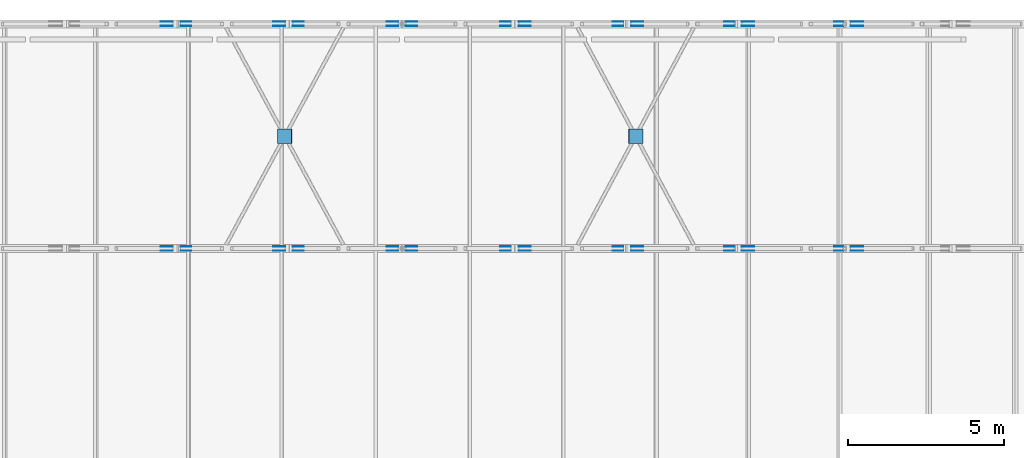
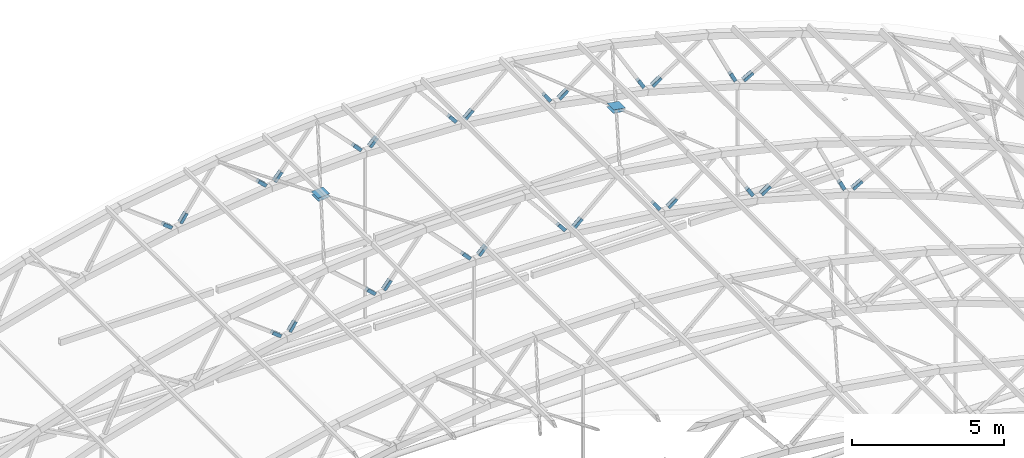
# One storey, part 116 of 127: 60 discrete accessories.
"""IFC4 building model written with IfcOpenShell, lengths in metres."""

from ifc_helpers import new_model, si_unit, direction, frame, origin, origin_2d, place, context, subcontext, project, spatial, rectangle, extrude, material, material_profile, profile_set, type_object, element, save


model = new_model("IFC4")

# Units and contexts
model_context = context("Model", 3, precision=1e-05, world=origin(), true_north=direction((0.0, 1.0)))
body_context = subcontext(model_context, "Body", "Model", "MODEL_VIEW")
ifc_project = project(units=[si_unit("LENGTHUNIT", "METRE"), si_unit("AREAUNIT", "SQUARE_METRE"), si_unit("VOLUMEUNIT", "CUBIC_METRE"), si_unit("PLANEANGLEUNIT", "RADIAN"), si_unit("MASSUNIT", "GRAM", prefix="KILO")], contexts=[model_context])

# Site, building, storey
site_placement = place(None, origin())
site = spatial("IfcSite", under=ifc_project, at=site_placement, CompositionType="ELEMENT")
building_placement = place(site_placement, origin())
building = spatial("IfcBuilding", under=site, at=building_placement, Name="Verrick Yard Athletic Hall", CompositionType="ELEMENT")
storey_placement = place(building_placement, frame((0.0, 0.0, 14.0)))
storey = spatial("IfcBuildingStorey", under=building, at=storey_placement, Name="L03", CompositionType="ELEMENT", Elevation=14.0)

# Discrete accessories
ifc_material = material(Name="Structural steel 350W (CSA G40.21)", Category="steel")
ifc_material_profile_1 = material_profile(ifc_material, rectangle(XDim=0.39990234375, YDim=0.126953125, at=origin_2d()), Name="Brace end cheek plate")
ifc_profile_set_1 = profile_set([ifc_material_profile_1], Name="Structural steel 350W (CSA G40.21)")
discrete_accessory_type_1 = type_object("IfcDiscreteAccessoryType", Name="Brace end cheek plate 400x127x12", PredefinedType="BRACKET", material=ifc_profile_set_1)
for number, where, z_axis, x_axis, name in (
    (1, (138.058349609375, 100.736572265625, 6.464111328125), (0.0, -1.0, 0.0), (-0.796193473644, 0.0, 0.605042108061), "Truss web end plate TA5-10 1"),
    (2, (138.058349609375, 100.863525390625, 6.464111328125), (0.0, 1.0, 0.0), (-0.796193473644, 0.0, 0.605042108061), "Truss web end plate TA5-10 2"),
    (3, (138.671630859375, 100.863525390625, 6.56103515625), (0.0, 1.0, 0.0), (0.570674326681, 0.0, 0.821176480951), "Truss web end plate TA5-11 1"),
    (4, (138.671630859375, 100.736572265625, 6.56103515625), (0.0, -1.0, 0.0), (0.570674326681, 0.0, 0.821176480951), "Truss web end plate TA5-11 2"),
    (5, (141.661865234375, 100.736572265625, 6.91455078125), (0.0, -1.0, 0.0), (-0.746352356768, 0.0, 0.665551019492), "Truss web end plate TA5-12 1"),
    (6, (141.661865234375, 100.863525390625, 6.91455078125), (0.0, 1.0, 0.0), (-0.746352356768, 0.0, 0.665551019492), "Truss web end plate TA5-12 2"),
    (7, (142.28076171875, 100.863525390625, 6.963134765625), (0.0, 1.0, 0.0), (0.633245761862, 0.0, 0.773950776913), "Truss web end plate TA5-13 1"),
    (8, (142.28076171875, 100.736572265625, 6.963134765625), (0.0, -1.0, 0.0), (0.633245761862, 0.0, 0.773950776913), "Truss web end plate TA5-13 2"),
    (9, (145.28955078125, 100.736572265625, 7.0810546875), (0.0, -1.0, 0.0), (-0.691925275628, 0.0, 0.721969121879), "Truss web end plate TA5-14 1"),
    (10, (145.28955078125, 100.863525390625, 7.0810546875), (0.0, 1.0, 0.0), (-0.691925275628, 0.0, 0.721969121879), "Truss web end plate TA5-14 2"),
    (11, (145.910400390625, 100.863525390625, 7.0810546875), (0.0, 1.0, 0.0), (0.691925275628, 0.0, 0.721969121879), "Truss web end plate TA5-15 1"),
    (12, (145.910400390625, 100.736572265625, 7.0810546875), (0.0, -1.0, 0.0), (0.691925275628, 0.0, 0.721969121879), "Truss web end plate TA5-15 2"),
    (13, (148.919189453125, 100.736572265625, 6.963134765625), (0.0, -1.0, 0.0), (-0.633245761862, 0.0, 0.773950776913), "Truss web end plate TA5-16 1"),
    (14, (148.919189453125, 100.863525390625, 6.963134765625), (0.0, 1.0, 0.0), (-0.633245761862, 0.0, 0.773950776913), "Truss web end plate TA5-16 2"),
    (15, (149.5380859375, 100.863525390625, 6.91455078125), (0.0, 1.0, 0.0), (0.746352356768, 0.0, 0.665551019492), "Truss web end plate TA5-17 1"),
    (16, (149.5380859375, 100.736572265625, 6.91455078125), (0.0, -1.0, 0.0), (0.746352356768, 0.0, 0.665551019492), "Truss web end plate TA5-17 2"),
    (17, (152.5283203125, 100.736572265625, 6.56103515625), (0.0, -1.0, 0.0), (-0.570674326681, 0.0, 0.821176480951), "Truss web end plate TA5-18 1"),
    (18, (152.5283203125, 100.863525390625, 6.56103515625), (0.0, 1.0, 0.0), (-0.570674326681, 0.0, 0.821176480951), "Truss web end plate TA5-18 2"),
    (19, (153.1416015625, 100.863525390625, 6.464111328125), (0.0, 1.0, 0.0), (0.796193473644, 0.0, 0.605042108061), "Truss web end plate TA5-19 1"),
    (20, (153.1416015625, 100.736572265625, 6.464111328125), (0.0, -1.0, 0.0), (0.796193473644, 0.0, 0.605042108061), "Truss web end plate TA5-19 2"),
    (21, (156.094970703125, 100.736572265625, 5.877685546875), (0.0, -1.0, 0.0), (-0.504596608522, 0.0, 0.863355235502), "Truss web end plate TA5-20 1"),
    (22, (156.094970703125, 100.863525390625, 5.877685546875), (0.0, 1.0, 0.0), (-0.504596608522, 0.0, 0.863355235502), "Truss web end plate TA5-20 2"),
    (23, (156.698974609375, 100.863525390625, 5.73291015625), (0.0, 1.0, 0.0), (0.841141186405, 0.0, 0.540815591984), "Truss web end plate TA5-21 1"),
    (24, (156.698974609375, 100.736572265625, 5.73291015625), (0.0, -1.0, 0.0), (0.841141186405, 0.0, 0.540815591984), "Truss web end plate TA5-21 2"),
    (25, (159.59716796875, 100.736572265625, 4.9169921875), (0.0, -1.0, 0.0), (-0.435417263932, 0.0, 0.90022875219), "Truss web end plate TA5-22 1"),
    (26, (159.59716796875, 100.863525390625, 4.9169921875), (0.0, 1.0, 0.0), (-0.435417263932, 0.0, 0.90022875219), "Truss web end plate TA5-22 2"),
    (27, (160.187744140625, 100.863525390625, 4.725341796875), (0.0, 1.0, 0.0), (0.880919955637, 0.0, 0.473265286876), "Truss web end plate TA5-23 1"),
    (28, (160.187744140625, 100.736572265625, 4.725341796875), (0.0, -1.0, 0.0), (0.880919955637, 0.0, 0.473265286876), "Truss web end plate TA5-23 2"),
    (29, (138.058349609375, 107.9365234375, 6.464111328125), (0.0, -1.0, 0.0), (-0.796193473644, 0.0, 0.605042108061), "Truss web end plate TA6-10 1"),
    (30, (138.058349609375, 108.0634765625, 6.464111328125), (0.0, 1.0, 0.0), (-0.796193473644, 0.0, 0.605042108061), "Truss web end plate TA6-10 2"),
    (31, (138.671630859375, 108.0634765625, 6.56103515625), (0.0, 1.0, 0.0), (0.570674326681, 0.0, 0.821176480951), "Truss web end plate TA6-11 1"),
    (32, (138.671630859375, 107.9365234375, 6.56103515625), (0.0, -1.0, 0.0), (0.570674326681, 0.0, 0.821176480951), "Truss web end plate TA6-11 2"),
    (33, (141.661865234375, 107.9365234375, 6.91455078125), (0.0, -1.0, 0.0), (-0.746352356768, 0.0, 0.665551019492), "Truss web end plate TA6-12 1"),
    (34, (141.661865234375, 108.0634765625, 6.91455078125), (0.0, 1.0, 0.0), (-0.746352356768, 0.0, 0.665551019492), "Truss web end plate TA6-12 2"),
    (35, (142.28076171875, 108.0634765625, 6.963134765625), (0.0, 1.0, 0.0), (0.633245761862, 0.0, 0.773950776913), "Truss web end plate TA6-13 1"),
    (36, (142.28076171875, 107.9365234375, 6.963134765625), (0.0, -1.0, 0.0), (0.633245761862, 0.0, 0.773950776913), "Truss web end plate TA6-13 2"),
    (37, (145.28955078125, 107.9365234375, 7.0810546875), (0.0, -1.0, 0.0), (-0.691925275628, 0.0, 0.721969121879), "Truss web end plate TA6-14 1"),
    (38, (145.28955078125, 108.0634765625, 7.0810546875), (0.0, 1.0, 0.0), (-0.691925275628, 0.0, 0.721969121879), "Truss web end plate TA6-14 2"),
    (39, (145.910400390625, 108.0634765625, 7.0810546875), (0.0, 1.0, 0.0), (0.691925275628, 0.0, 0.721969121879), "Truss web end plate TA6-15 1"),
    (40, (145.910400390625, 107.9365234375, 7.0810546875), (0.0, -1.0, 0.0), (0.691925275628, 0.0, 0.721969121879), "Truss web end plate TA6-15 2"),
    (41, (148.919189453125, 107.9365234375, 6.963134765625), (0.0, -1.0, 0.0), (-0.633245761862, 0.0, 0.773950776913), "Truss web end plate TA6-16 1"),
    (42, (148.919189453125, 108.0634765625, 6.963134765625), (0.0, 1.0, 0.0), (-0.633245761862, 0.0, 0.773950776913), "Truss web end plate TA6-16 2"),
    (43, (149.5380859375, 108.0634765625, 6.91455078125), (0.0, 1.0, 0.0), (0.746352356768, 0.0, 0.665551019492), "Truss web end plate TA6-17 1"),
    (44, (149.5380859375, 107.9365234375, 6.91455078125), (0.0, -1.0, 0.0), (0.746352356768, 0.0, 0.665551019492), "Truss web end plate TA6-17 2"),
    (45, (152.5283203125, 107.9365234375, 6.56103515625), (0.0, -1.0, 0.0), (-0.570674326681, 0.0, 0.821176480951), "Truss web end plate TA6-18 1"),
    (46, (152.5283203125, 108.0634765625, 6.56103515625), (0.0, 1.0, 0.0), (-0.570674326681, 0.0, 0.821176480951), "Truss web end plate TA6-18 2"),
    (47, (153.1416015625, 108.0634765625, 6.464111328125), (0.0, 1.0, 0.0), (0.796193473644, 0.0, 0.605042108061), "Truss web end plate TA6-19 1"),
    (48, (153.1416015625, 107.9365234375, 6.464111328125), (0.0, -1.0, 0.0), (0.796193473644, 0.0, 0.605042108061), "Truss web end plate TA6-19 2"),
    (49, (156.094970703125, 107.9365234375, 5.877685546875), (0.0, -1.0, 0.0), (-0.504596608522, 0.0, 0.863355235502), "Truss web end plate TA6-20 1"),
    (50, (156.094970703125, 108.0634765625, 5.877685546875), (0.0, 1.0, 0.0), (-0.504596608522, 0.0, 0.863355235502), "Truss web end plate TA6-20 2"),
    (51, (156.698974609375, 108.0634765625, 5.73291015625), (0.0, 1.0, 0.0), (0.841141186405, 0.0, 0.540815591984), "Truss web end plate TA6-21 1"),
    (52, (156.698974609375, 107.9365234375, 5.73291015625), (0.0, -1.0, 0.0), (0.841141186405, 0.0, 0.540815591984), "Truss web end plate TA6-21 2"),
    (53, (159.59716796875, 107.9365234375, 4.9169921875), (0.0, -1.0, 0.0), (-0.435417263932, 0.0, 0.90022875219), "Truss web end plate TA6-22 1"),
    (54, (159.59716796875, 108.0634765625, 4.9169921875), (0.0, 1.0, 0.0), (-0.435417263932, 0.0, 0.90022875219), "Truss web end plate TA6-22 2"),
    (55, (160.187744140625, 108.0634765625, 4.725341796875), (0.0, 1.0, 0.0), (0.880919955637, 0.0, 0.473265286876), "Truss web end plate TA6-23 1"),
    (56, (160.187744140625, 107.9365234375, 4.725341796875), (0.0, -1.0, 0.0), (0.880919955637, 0.0, 0.473265286876), "Truss web end plate TA6-23 2"),
):
    element("IfcDiscreteAccessory", number, at=place(storey_placement, frame(where, z_axis=z_axis, x_axis=x_axis)), inside=storey, type_object=discrete_accessory_type_1, Name=name, PredefinedType="BRACKET", context=body_context, shape_type="SweptSolid", body=[
        extrude(rectangle(XDim=0.39990234375, YDim=0.126953125, at=origin_2d()), origin(), (0.0, 0.0, 1.0), 0.011962890625),
    ])
ifc_material_profile_2 = material_profile(ifc_material, rectangle(XDim=0.449951171875, YDim=0.449951171875, at=origin_2d()), Name="Brace node plate")
ifc_profile_set_2 = profile_set([ifc_material_profile_2], Name="Structural steel 350W (CSA G40.21)")
discrete_accessory_type_2 = type_object("IfcDiscreteAccessoryType", Name="Brace node plate 450x450x12", PredefinedType="BRACKET", material=ifc_profile_set_2)
for number, where, z_axis, x_axis, name in (
    (57, (141.847412109375, 104.39990234375, 8.515869140625), (0.081362009455, 0.0, -0.996684615823), (0.0, 1.0, 0.0), "Brace node plate A5-5 1"),
    (58, (141.83837890625, 104.39990234375, 8.6298828125), (-0.081362009455, 0.0, 0.996684615823), (0.0, -1.0, 0.0), "Brace node plate A5-5 2"),
    (59, (153.08203125, 104.39990234375, 8.0751953125), (-0.144306893072, 0.0, -0.989532981063), (0.0, -1.0, 0.0), "Brace node plate A5-8 1"),
    (60, (153.099853515625, 104.39990234375, 8.188232421875), (0.164398987305, 0.0, 0.986393923832), (0.0, 1.0, 0.0), "Brace node plate A5-8 2"),
):
    element("IfcDiscreteAccessory", number, at=place(storey_placement, frame(where, z_axis=z_axis, x_axis=x_axis)), inside=storey, type_object=discrete_accessory_type_2, Name=name, PredefinedType="BRACKET", context=body_context, shape_type="SweptSolid", body=[
        extrude(rectangle(XDim=0.449951171875, YDim=0.449951171875, at=origin_2d()), origin(), (0.0, 0.0, 1.0), 0.011962890625),
    ])

save(model, "model.ifc")
